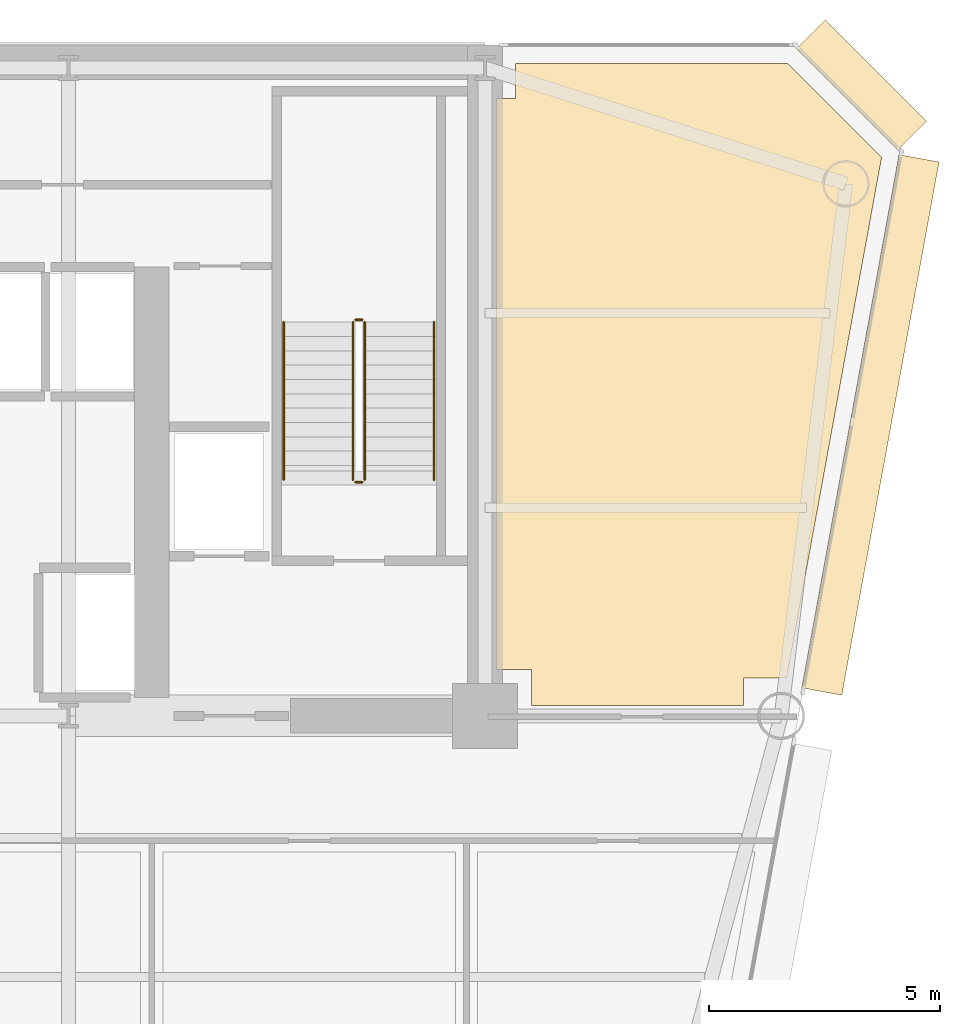
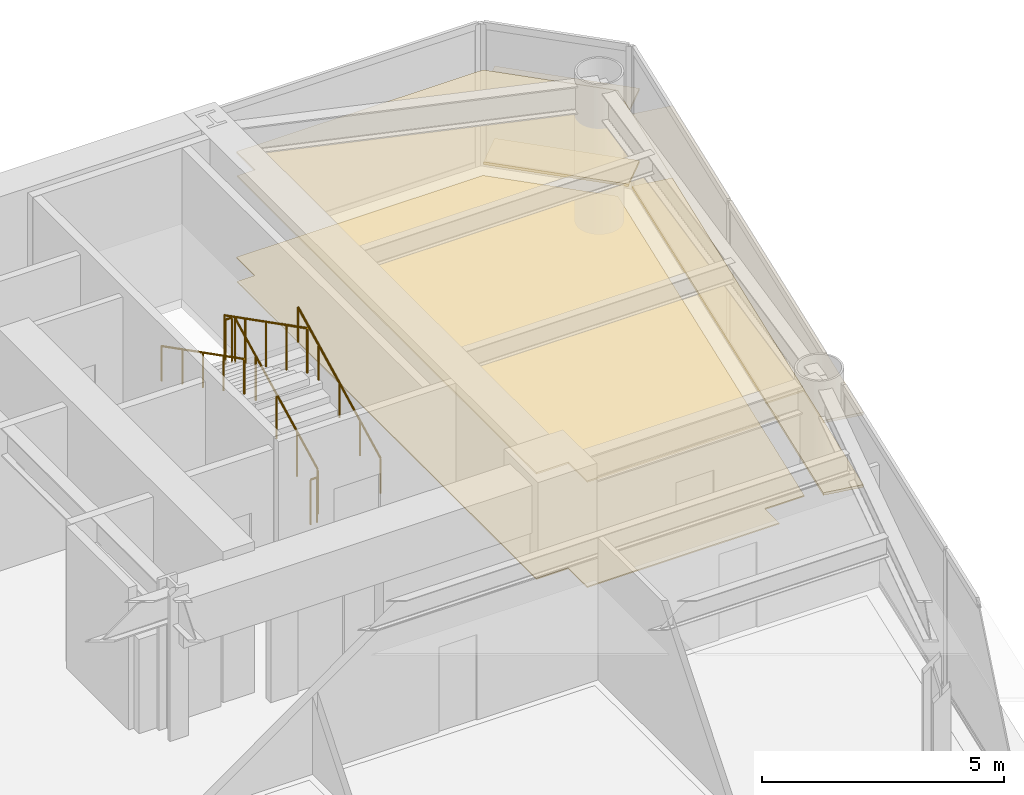
# One storey, part 15 of 15: 6 coverings, 6 railings.
"""IFC4 building model written with IfcOpenShell, lengths in metres."""

import ifcopenshell
import ifcopenshell.guid

model = None  # the IFC model being written
_history = None  # IfcOwnerHistory: only IFC2X3 demands one
_inside = {}  # id of a spatial element -> (the spatial element, [elements in it])
_under = {}  # id of a project, library or spatial element -> (it, [spatial elements below it])
_declared = {}  # id of a project -> (the project, [libraries it declares])
_typed = {}  # id of a type object -> (the type object, [elements of that type])
_made_of = {}  # id of a material, layer set ... -> (it, [elements and type objects made of it])


def new_model(schema):
    """Start an empty IFC model of exactly this schema.

    Asked for "IFC4X3", IfcOpenShell would pick the latest addendum, in which some entities
    have other attributes; the version numbers below select the first issue.
    IFC2X3 requires an IfcOwnerHistory on every rooted entity: one is made here for all.
    """
    global model, _history
    if schema == "IFC4X3":
        model = ifcopenshell.file(schema_version=(4, 3, 0, 0))
    else:
        model = ifcopenshell.file(schema=schema)
    _inside.clear()
    _under.clear()
    _declared.clear()
    _typed.clear()
    _made_of.clear()
    _history = None
    if model.schema == "IFC2X3":
        org = make("IfcOrganization", Name="unknown")
        user = make(
            "IfcPersonAndOrganization",
            ThePerson=make("IfcPerson", FamilyName="unknown"),
            TheOrganization=org,
        )
        app = make(
            "IfcApplication",
            ApplicationDeveloper=org,
            Version="unknown",
            ApplicationFullName="unknown",
            ApplicationIdentifier="unknown",
        )
        _history = make(
            "IfcOwnerHistory",
            OwningUser=user,
            OwningApplication=app,
            ChangeAction="ADDED",
            CreationDate=0,
        )
    return model


def make(cls, **values):
    """One entity of the class cls with the attributes given. An attribute that is None is left unset."""
    return model.create_entity(
        cls, **{name: value for name, value in values.items() if value is not None}
    )


def rooted(cls, **values):
    """An entity with a GlobalId (a new one), such as an element, a storey or a relation."""
    return make(cls, GlobalId=ifcopenshell.guid.new(), OwnerHistory=_history, **values)


def si_unit(unit_type, name, prefix=None):
    """IfcSIUnit, for example si_unit("LENGTHUNIT", "METRE", prefix="MILLI")."""
    return make("IfcSIUnit", UnitType=unit_type, Prefix=prefix, Name=name)


def assignment(units):
    """IfcUnitAssignment: the units of a project."""
    return None if units is None else make("IfcUnitAssignment", Units=units)


def point(xyz):
    """IfcCartesianPoint."""
    return None if xyz is None else make("IfcCartesianPoint", Coordinates=xyz)


def direction(xyz):
    """IfcDirection."""
    return None if xyz is None else make("IfcDirection", DirectionRatios=xyz)


def frame(location, z_axis=None, x_axis=None):
    """IfcAxis2Placement3D, a coordinate frame: its origin and axes. An axis left out is left unset."""
    return make(
        "IfcAxis2Placement3D",
        Location=point(location),
        Axis=direction(z_axis),
        RefDirection=direction(x_axis),
    )


def frame_2d(location, x_axis=None):
    """IfcAxis2Placement2D, a coordinate frame in the plane: its origin and x axis."""
    return make(
        "IfcAxis2Placement2D", Location=point(location), RefDirection=direction(x_axis)
    )


def origin():
    """The frame at (0, 0, 0) with its axes left unset."""
    return frame((0.0, 0.0, 0.0))


def origin_2d():
    """The frame at (0, 0) in the plane with its x axis left unset."""
    return frame_2d((0.0, 0.0))


def place(relative_to, where):
    """IfcLocalPlacement: puts the frame where relative to a parent placement (None: the world)."""
    return make(
        "IfcLocalPlacement", PlacementRelTo=relative_to, RelativePlacement=where
    )


def context(
    kind, dimensions, precision=None, world=None, true_north=None, identifier=None
):
    """IfcGeometricRepresentationContext, for example the 3D "Model" context."""
    return make(
        "IfcGeometricRepresentationContext",
        ContextIdentifier=identifier,
        ContextType=kind,
        CoordinateSpaceDimension=dimensions,
        Precision=precision,
        WorldCoordinateSystem=world,
        TrueNorth=true_north,
    )


def subcontext(parent, identifier, kind, view, scale=None):
    """IfcGeometricRepresentationSubContext, for example "Body" below "Model"."""
    return make(
        "IfcGeometricRepresentationSubContext",
        ContextIdentifier=identifier,
        ContextType=kind,
        ParentContext=parent,
        TargetScale=scale,
        TargetView=view,
    )


def project(units=None, contexts=None):
    """IfcProject with its units and contexts."""
    return rooted(
        "IfcProject",
        Name="project",
        RepresentationContexts=contexts,
        UnitsInContext=assignment(units),
    )


def spatial(cls, under=None, at=None, **own):
    """A site, building, storey or space (cls), placed at a placement, below another one or the project."""
    s = rooted(cls, ObjectPlacement=at, **own)
    if under is not None:
        _under.setdefault(under.id(), (under, []))[1].append(s)
    return s


def polyline(points):
    """IfcPolyline through the points."""
    return make("IfcPolyline", Points=[point(p) for p in points])


def profile(cls, at=None, kind="AREA", **sizes):
    """A parametric profile (cls). Its sizes go by their IFC names, for example OverallWidth=200.0."""
    return make(cls, ProfileType=kind, Position=at, **sizes)


def rectangle(**sizes):
    """IfcRectangleProfileDef."""
    return profile("IfcRectangleProfileDef", **sizes)


def circle(**sizes):
    """IfcCircleProfileDef."""
    return profile("IfcCircleProfileDef", **sizes)


def outline(outer, holes=None, kind="AREA"):
    """IfcArbitraryClosedProfileDef: a profile drawn as a closed curve; with holes, ...WithVoids."""
    if holes is None:
        return make("IfcArbitraryClosedProfileDef", ProfileType=kind, OuterCurve=outer)
    return make(
        "IfcArbitraryProfileDefWithVoids",
        ProfileType=kind,
        OuterCurve=outer,
        InnerCurves=holes,
    )


def extrude(swept, where, along, depth):
    """IfcExtrudedAreaSolid: the profile swept, set in the frame where, extruded along a direction by depth."""
    return make(
        "IfcExtrudedAreaSolid",
        SweptArea=swept,
        Position=where,
        ExtrudedDirection=direction(along),
        Depth=depth,
    )


def shape(context_of_items, identifier, shape_type, items):
    """IfcShapeRepresentation: the items that make up one representation, for example the "Body"."""
    return make(
        "IfcShapeRepresentation",
        ContextOfItems=context_of_items,
        RepresentationIdentifier=identifier,
        RepresentationType=shape_type,
        Items=items,
    )


def source(mapping_origin, context_of_items, identifier, shape_type, items):
    """IfcRepresentationMap: a shape defined once, which mapped items show again and again."""
    return make(
        "IfcRepresentationMap",
        MappingOrigin=mapping_origin,
        MappedRepresentation=shape(context_of_items, identifier, shape_type, items),
    )


def transform(
    local_origin,
    x_axis=None,
    y_axis=None,
    z_axis=None,
    scale=None,
    scale2=None,
    scale3=None,
    uniform=True,
):
    """IfcCartesianTransformationOperator3D, or its non-uniform kind. x_axis, y_axis, z_axis: its Axis1, 2, 3."""
    if uniform:
        return make(
            "IfcCartesianTransformationOperator3D",
            Axis1=direction(x_axis),
            Axis2=direction(y_axis),
            LocalOrigin=point(local_origin),
            Scale=scale,
            Axis3=direction(z_axis),
        )
    return make(
        "IfcCartesianTransformationOperator3DnonUniform",
        Axis1=direction(x_axis),
        Axis2=direction(y_axis),
        LocalOrigin=point(local_origin),
        Scale=scale,
        Axis3=direction(z_axis),
        Scale2=scale2,
        Scale3=scale3,
    )


def mapped(mapping_source, mapping_target):
    """IfcMappedItem: shows the shape of a source again, moved by a transform."""
    return make(
        "IfcMappedItem", MappingSource=mapping_source, MappingTarget=mapping_target
    )


def material(Name=None, Category=None):
    """IfcMaterial."""
    return make("IfcMaterial", Name=Name, Category=Category)


def layer(
    of_material, thickness, ventilated=None, Name=None, Category=None, Priority=None
):
    """IfcMaterialLayer: one layer of a wall or slab, of a material (None: an air gap)."""
    return make(
        "IfcMaterialLayer",
        Material=of_material,
        LayerThickness=thickness,
        IsVentilated=ventilated,
        Name=Name,
        Category=Category,
        Priority=Priority,
    )


def layer_set(layers, Name=None):
    """IfcMaterialLayerSet."""
    return make("IfcMaterialLayerSet", MaterialLayers=layers, LayerSetName=Name)


def made_of(thing, what):
    """Note that an element or type object is made of a material, layer set ...; save() writes the relation."""
    if what is not None:
        _made_of.setdefault(what.id(), (what, []))[1].append(thing)
    return thing


def type_object(cls, material=None, **own):
    """A type object (cls), such as IfcWallType, which elements share."""
    return made_of(rooted(cls, **own), material)


def element(
    cls,
    number,
    at=None,
    inside=None,
    cuts=None,
    type_object=None,
    material=None,
    context=None,
    identifier="Body",
    shape_type=None,
    held_by="IfcProductDefinitionShape",
    body=None,
    shapes=None,
    **own,
):
    """One element of the class cls, such as IfcWall. Its Tag is "e" and its number.

    at: its placement. inside: the storey or other place that contains it. cuts: it is an
    opening in that element (IfcRelVoidsElement). A single representation is given by context,
    identifier, shape_type and body (its items); several are given by shapes. held_by: the class
    of the entity that holds the representations. save() writes the other relations.
    """
    e = rooted(cls, Tag="e%d" % number, ObjectPlacement=at, **own)
    if body is not None:
        shapes = [shape(context, identifier, shape_type, body)]
    if shapes is not None:
        e.Representation = make(held_by, Representations=shapes)
    if inside is not None:
        _inside.setdefault(inside.id(), (inside, []))[1].append(e)
    if cuts is not None:
        rooted(
            "IfcRelVoidsElement", RelatingBuildingElement=cuts, RelatedOpeningElement=e
        )
    if type_object is not None:
        _typed.setdefault(type_object.id(), (type_object, []))[1].append(e)
    return made_of(e, material)


def aggregate(whole, parts):
    """IfcRelAggregates: a whole, such as a stair, and the parts it consists of."""
    return rooted("IfcRelAggregates", RelatingObject=whole, RelatedObjects=parts)


def save(model, path):
    """Write the relations noted so far, then the file.

    IfcRelAggregates (storeys below a building ...), IfcRelContainedInSpatialStructure (elements
    in a storey), IfcRelDefinesByType, IfcRelAssociatesMaterial and IfcRelDeclares: one each for
    every whole, place, type object, material and project.
    """
    for whole, parts in _under.values():
        aggregate(whole, parts)
    for where, things in _inside.values():
        rooted(
            "IfcRelContainedInSpatialStructure",
            RelatedElements=things,
            RelatingStructure=where,
        )
    for kind, things in _typed.values():
        rooted("IfcRelDefinesByType", RelatedObjects=things, RelatingType=kind)
    for what, things in _made_of.values():
        rooted("IfcRelAssociatesMaterial", RelatedObjects=things, RelatingMaterial=what)
    for by, libraries in _declared.values():
        rooted("IfcRelDeclares", RelatingContext=by, RelatedDefinitions=libraries)
    model.write(path)


model = new_model("IFC4")

# Units and contexts
model_context = context("Model", 3, precision=1e-05, world=origin(), true_north=direction((0.0, 1.0)))
body_context = subcontext(model_context, "Body", "Model", "MODEL_VIEW")
ifc_project = project(units=[si_unit("LENGTHUNIT", "METRE"), si_unit("AREAUNIT", "SQUARE_METRE"), si_unit("VOLUMEUNIT", "CUBIC_METRE"), si_unit("PLANEANGLEUNIT", "RADIAN"), si_unit("MASSUNIT", "GRAM", prefix="KILO")], contexts=[model_context])

# Site, building, storey
site_placement = place(None, origin())
site = spatial("IfcSite", under=ifc_project, at=site_placement, CompositionType="ELEMENT")
building_placement = place(site_placement, origin())
building = spatial("IfcBuilding", under=site, at=building_placement, Name="Vaeldorn Concourse Tower", CompositionType="ELEMENT")
storey_placement = place(building_placement, frame((0.0, 0.0, 103.39990234375)))
storey = spatial("IfcBuildingStorey", under=building, at=storey_placement, Name="L26", CompositionType="ELEMENT", Elevation=103.39990234375)

# Coverings
ifc_material_1 = material(Name="Acoustic Mineral Fibre Board", Category="gypsum")
ifc_layer_1 = layer(ifc_material_1, 0.0400390625)
ifc_layer_set_1 = layer_set([ifc_layer_1], Name="Acoustic Mineral Fibre Board")
covering_type_1 = type_object("IfcCoveringType", Name="COV-CEIL-ACOUSTIC", PredefinedType="CEILING", material=ifc_layer_set_1)
covering_1_placement = place(storey_placement, frame((0.0, 0.0, 2.650146484375)))
element("IfcCovering", 1, at=covering_1_placement, inside=storey, type_object=covering_type_1, Name="Suspended Acoustic Ceiling L26-4", PredefinedType="CEILING", context=body_context, shape_type="SweptSolid", body=[
    extrude(outline(polyline([(54.659912109375, 49.840087890625), (54.659912109375, 50.60009765625), (60.5341796875, 50.60009765625), (62.56884765625, 48.5654296875), (60.518310546875, 37.320068359375), (59.580078125, 37.320068359375), (59.580078125, 36.719970703125), (55.0, 36.719970703125), (55.0, 37.5), (54.239990234375, 37.5), (54.239990234375, 49.840087890625), (54.659912109375, 49.840087890625)])), origin(), (0.0, 0.0, 1.0), 0.0400390625),
])
ifc_material_2 = material(Name="Honed Limestone Terrazzo Flooring", Category="masonry")
ifc_layer_2 = layer(ifc_material_2, 0.0400390625)
ifc_layer_set_2 = layer_set([ifc_layer_2], Name="Honed Limestone Terrazzo Flooring")
covering_type_2 = type_object("IfcCoveringType", Name="COV-FLOOR-STONE", PredefinedType="FLOORING", material=ifc_layer_set_2)
covering_2_placement = place(storey_placement, origin())
element("IfcCovering", 2, at=covering_2_placement, inside=storey, type_object=covering_type_2, Name="Floor Finish Covering L26-4", PredefinedType="FLOORING", context=body_context, shape_type="SweptSolid", body=[
    extrude(outline(polyline([(54.659912109375, 49.840087890625), (54.659912109375, 50.60009765625), (60.5341796875, 50.60009765625), (62.56884765625, 48.5654296875), (60.518310546875, 37.320068359375), (59.580078125, 37.320068359375), (59.580078125, 36.719970703125), (55.0, 36.719970703125), (55.0, 37.5), (54.239990234375, 37.5), (54.239990234375, 49.840087890625), (54.659912109375, 49.840087890625)])), origin(), (0.0, 0.0, 1.0), 0.030029296875),
])

# Railings
ifc_material_3 = material(Name="Anodised Bronze Aluminium", Category="aluminium")
railing_type_1 = type_object("IfcRailingType", Name="RL-STAIR-GUARD", PredefinedType="GUARDRAIL", material=ifc_material_3)
railing_1_placement = place(storey_placement, frame((51.39990234375, 41.60009765625, 0.158447265625)))
element("IfcRailing", 3, at=railing_1_placement, inside=storey, type_object=railing_type_1, Name="L26 ST-2 stair guard 1", PredefinedType="GUARDRAIL", context=body_context, shape_type="SweptSolid", body=[
    extrude(circle(Radius=0.02392578125, at=origin_2d()), frame((0.0, 0.0, 1.1259765625), z_axis=(0.0, 0.890555807335, 0.454873997962), x_axis=(-1.0, 0.0, 0.0)), (0.0, 0.0, 1.0), 3.828857421875),
    extrude(circle(Radius=0.02099609375, at=origin_2d()), origin(), (0.0, 0.0, 1.0), 1.101806640625),
    extrude(circle(Radius=0.02099609375, at=origin_2d()), frame((0.0, 0.8525390625, 0.435546875)), (0.0, 0.0, 1.0), 1.101806640625),
    extrude(circle(Radius=0.02099609375, at=origin_2d()), frame((0.0, 1.705078125, 0.870849609375)), (0.0, 0.0, 1.0), 1.101806640625),
    extrude(circle(Radius=0.02099609375, at=origin_2d()), frame((0.0, 2.557373046875, 1.30615234375)), (0.0, 0.0, 1.0), 1.101806640625),
    extrude(circle(Radius=0.02099609375, at=origin_2d()), frame((0.0, 3.409912109375, 1.74169921875)), (0.0, 0.0, 1.0), 1.101806640625),
])
railing_2_placement = place(storey_placement, frame((51.35009765625, 45.06005859375, 1.900146484375)))
element("IfcRailing", 4, at=railing_2_placement, inside=storey, type_object=railing_type_1, Name="L26 ST-2 stair guard 2", PredefinedType="GUARDRAIL", context=body_context, shape_type="SweptSolid", body=[
    extrude(circle(Radius=0.02392578125, at=origin_2d()), frame((0.0, 0.0, 1.1259765625), z_axis=(-1.0, 0.0, 0.0), x_axis=(0.0, -1.0, 0.0)), (0.0, 0.0, 1.0), 0.150146484375),
    extrude(circle(Radius=0.02099609375, at=origin_2d()), origin(), (0.0, 0.0, 1.0), 1.101806640625),
    extrude(circle(Radius=0.02099609375, at=origin_2d()), frame((-0.150146484375, 0.0, 0.0)), (0.0, 0.0, 1.0), 1.101806640625),
])
railing_3_placement = place(storey_placement, frame((51.14990234375, 45.010009765625, 2.058349609375)))
element("IfcRailing", 5, at=railing_3_placement, inside=storey, type_object=railing_type_1, Name="L26 ST-2 stair guard 3", PredefinedType="GUARDRAIL", context=body_context, shape_type="SweptSolid", body=[
    extrude(circle(Radius=0.02392578125, at=origin_2d()), frame((0.0, 0.0, 1.1259765625), z_axis=(0.0, -0.890555807335, 0.454873997962), x_axis=(1.0, 0.0, 0.0)), (0.0, 0.0, 1.0), 3.828857421875),
    extrude(circle(Radius=0.02099609375, at=origin_2d()), origin(), (0.0, 0.0, 1.0), 1.101806640625),
    extrude(circle(Radius=0.02099609375, at=origin_2d()), frame((0.0, -0.8525390625, 0.435546875)), (0.0, 0.0, 1.0), 1.101806640625),
    extrude(circle(Radius=0.02099609375, at=origin_2d()), frame((0.0, -1.705078125, 0.870849609375)), (0.0, 0.0, 1.0), 1.101806640625),
    extrude(circle(Radius=0.02099609375, at=origin_2d()), frame((0.0, -2.557373046875, 1.30615234375)), (0.0, 0.0, 1.0), 1.101806640625),
    extrude(circle(Radius=0.02099609375, at=origin_2d()), frame((0.0, -3.409912109375, 1.74169921875)), (0.0, 0.0, 1.0), 1.101806640625),
])
railing_4_placement = place(storey_placement, frame((51.35009765625, 41.550048828125, 0.0)))
element("IfcRailing", 6, at=railing_4_placement, inside=storey, type_object=railing_type_1, Name="L26 ST-2 stair guard 4", PredefinedType="GUARDRAIL", context=body_context, shape_type="SweptSolid", body=[
    extrude(circle(Radius=0.02392578125, at=origin_2d()), frame((0.0, 0.0, 1.1259765625), z_axis=(-1.0, 0.0, 0.0), x_axis=(0.0, -1.0, 0.0)), (0.0, 0.0, 1.0), 0.150146484375),
    extrude(circle(Radius=0.02099609375, at=origin_2d()), origin(), (0.0, 0.0, 1.0), 1.101806640625),
    extrude(circle(Radius=0.02099609375, at=origin_2d()), frame((-0.150146484375, 0.0, 0.0)), (0.0, 0.0, 1.0), 1.101806640625),
])
railing_type_2 = type_object("IfcRailingType", Name="RL-STAIR-HANDRAIL", PredefinedType="HANDRAIL", material=ifc_material_3)
railing_5_placement = place(storey_placement, frame((52.89990234375, 41.60009765625, 0.158447265625)))
element("IfcRailing", 7, at=railing_5_placement, inside=storey, type_object=railing_type_2, Name="L26 ST-2 stair handrail 1", PredefinedType="HANDRAIL", context=body_context, shape_type="SweptSolid", body=[
    extrude(circle(Radius=0.02392578125, at=origin_2d()), frame((0.0, 0.0, 0.8759765625), z_axis=(0.0, 0.890555807335, 0.454873997962), x_axis=(-1.0, 0.0, 0.0)), (0.0, 0.0, 1.0), 3.828857421875),
    extrude(circle(Radius=0.02099609375, at=origin_2d()), origin(), (0.0, 0.0, 1.0), 0.851806640625),
    extrude(circle(Radius=0.02099609375, at=origin_2d()), frame((0.0, 0.8525390625, 0.435546875)), (0.0, 0.0, 1.0), 0.851806640625),
    extrude(circle(Radius=0.02099609375, at=origin_2d()), frame((0.0, 1.705078125, 0.870849609375)), (0.0, 0.0, 1.0), 0.851806640625),
    extrude(circle(Radius=0.02099609375, at=origin_2d()), frame((0.0, 2.557373046875, 1.30615234375)), (0.0, 0.0, 1.0), 0.851806640625),
    extrude(circle(Radius=0.02099609375, at=origin_2d()), frame((0.0, 3.409912109375, 1.74169921875)), (0.0, 0.0, 1.0), 0.851806640625),
])
railing_6_placement = place(storey_placement, frame((49.64990234375, 45.010009765625, 2.058349609375)))
element("IfcRailing", 8, at=railing_6_placement, inside=storey, type_object=railing_type_2, Name="L26 ST-2 stair handrail 2", PredefinedType="HANDRAIL", context=body_context, shape_type="SweptSolid", body=[
    extrude(circle(Radius=0.02392578125, at=origin_2d()), frame((0.0, 0.0, 0.8759765625), z_axis=(0.0, -0.890555807335, 0.454873997962), x_axis=(1.0, 0.0, 0.0)), (0.0, 0.0, 1.0), 3.828857421875),
    extrude(circle(Radius=0.02099609375, at=origin_2d()), origin(), (0.0, 0.0, 1.0), 0.851806640625),
    extrude(circle(Radius=0.02099609375, at=origin_2d()), frame((0.0, -0.8525390625, 0.435546875)), (0.0, 0.0, 1.0), 0.851806640625),
    extrude(circle(Radius=0.02099609375, at=origin_2d()), frame((0.0, -1.705078125, 0.870849609375)), (0.0, 0.0, 1.0), 0.851806640625),
    extrude(circle(Radius=0.02099609375, at=origin_2d()), frame((0.0, -2.557373046875, 1.30615234375)), (0.0, 0.0, 1.0), 0.851806640625),
    extrude(circle(Radius=0.02099609375, at=origin_2d()), frame((0.0, -3.409912109375, 1.74169921875)), (0.0, 0.0, 1.0), 0.851806640625),
])

# Coverings
ifc_layer_3 = layer(ifc_material_3, 0.06494140625)
ifc_layer_set_3 = layer_set([ifc_layer_3], Name="Anodised Bronze Aluminium")
covering_type_3 = type_object("IfcCoveringType", Name="SD-BRONZE-SUNSHADE", PredefinedType="USERDEFINED", material=ifc_layer_set_3)
shared_shape_1 = source(origin(), body_context, "Body", "SweptSolid", [
    extrude(rectangle(XDim=3.0927734375, YDim=0.8798828125, at=origin_2d()), origin(), (0.0, 0.0, 1.0), 0.06494140625),
])
for number, where, z_axis, x_axis, name in (
    (9, (62.1328125, 50.1328125, 0.047607421875), (0.0, 0.0, 1.0), (-0.707106781187, 0.707106781187, 0.0), "Horizontal Bronze Sunshade L26-E08.1.1"),
    (10, (62.1328125, 50.1328125, 1.86767578125), (0.0, 0.0, 1.0), (-0.707106781187, 0.707106781187, 0.0), "Horizontal Bronze Sunshade L26-E08.1.2"),
):
    element("IfcCovering", number, at=place(storey_placement, frame(where, z_axis=z_axis, x_axis=x_axis)), inside=storey, type_object=covering_type_3, Name=name, ObjectType="SUNSHADE", PredefinedType="USERDEFINED", context=body_context, shape_type="MappedRepresentation", body=[
        mapped(shared_shape_1, transform((0.0, 0.0, 0.0), scale=1.0)),
    ])
shared_shape_2 = source(origin(), body_context, "Body", "SweptSolid", [
    extrude(rectangle(XDim=11.714599609375, YDim=0.8798828125, at=origin_2d()), origin(), (0.0, 0.0, 1.0), 0.06494140625),
])
for number, where, z_axis, x_axis, name in (
    (11, (62.32861328125, 42.787109375, 0.047607421875), (0.0, 0.0, 1.0), (0.179386032735, 0.983778761338, 0.0), "Horizontal Bronze Sunshade L26-E07.2.1"),
    (12, (62.32861328125, 42.787109375, 1.86767578125), (0.0, 0.0, 1.0), (0.179386032735, 0.983778761338, 0.0), "Horizontal Bronze Sunshade L26-E07.2.2"),
):
    element("IfcCovering", number, at=place(storey_placement, frame(where, z_axis=z_axis, x_axis=x_axis)), inside=storey, type_object=covering_type_3, Name=name, ObjectType="SUNSHADE", PredefinedType="USERDEFINED", context=body_context, shape_type="MappedRepresentation", body=[
        mapped(shared_shape_2, transform((0.0, 0.0, 0.0), scale=1.0)),
    ])

save(model, "model.ifc")
